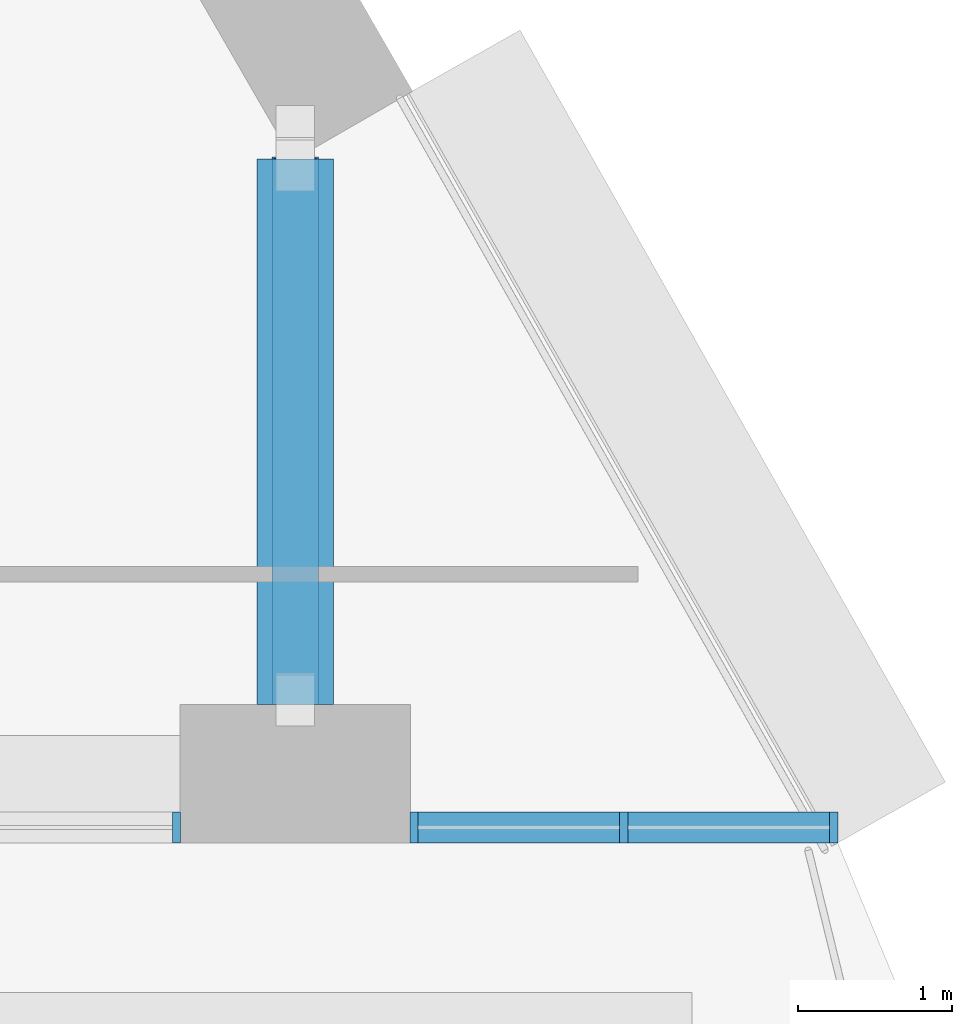
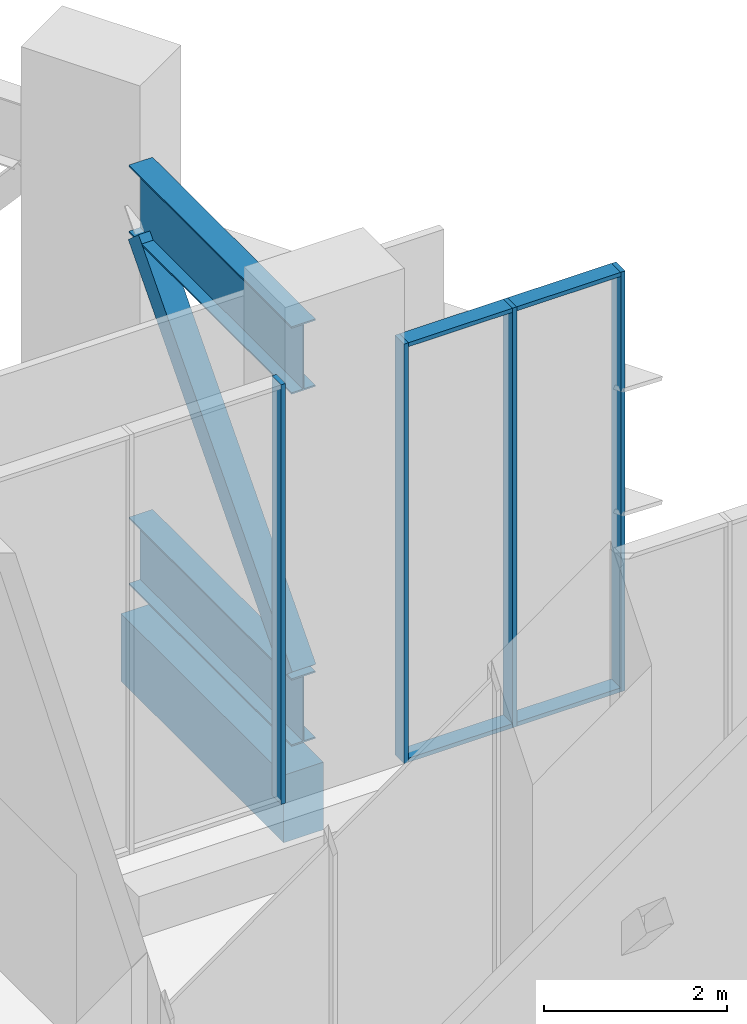
# One storey, part 5 of 20: 11 members, 1 beam, 2 elements without a shape of their own.
"""IFC4 building model written with IfcOpenShell, lengths in metres."""

from ifc_helpers import new_model, si_unit, direction, frame, origin, origin_2d, place, context, subcontext, project, spatial, rectangle, hollow_rectangle, i_section, extrude, material, layer, layer_set, material_profile, profile_set, type_object, element, aggregate, save


model = new_model("IFC4")

# Units and contexts
model_context = context("Model", 3, precision=1e-05, world=origin(), true_north=direction((0.0, 1.0)))
body_context = subcontext(model_context, "Body", "Model", "MODEL_VIEW")
ifc_project = project(units=[si_unit("LENGTHUNIT", "METRE"), si_unit("AREAUNIT", "SQUARE_METRE"), si_unit("VOLUMEUNIT", "CUBIC_METRE"), si_unit("PLANEANGLEUNIT", "RADIAN"), si_unit("MASSUNIT", "GRAM", prefix="KILO")], contexts=[model_context])

# Site, building, storey
site_placement = place(None, origin())
site = spatial("IfcSite", under=ifc_project, at=site_placement, CompositionType="ELEMENT")
building_placement = place(site_placement, origin())
building = spatial("IfcBuilding", under=site, at=building_placement, Name="Nakaniwa Court", CompositionType="ELEMENT")
storey_placement = place(building_placement, frame((0.0, 0.0, 71.10009765625)))
storey = spatial("IfcBuildingStorey", under=building, at=storey_placement, Name="S1", CompositionType="ELEMENT", Elevation=71.10009765625)

# Curtain wall, member
ifc_material_1 = material(Name="Black anodised aluminium frame with dark low-E laminated double glazing", Category="aluminium")
ifc_layer = layer(ifc_material_1, 0.199951171875)
ifc_layer_set = layer_set([ifc_layer], Name="Black anodised aluminium frame with dark low-E laminated double glazing")
curtain_wall_type = type_object("IfcCurtainWallType", Name="Amenity and sky level curtain wall", PredefinedType="NOTDEFINED", material=ifc_layer_set)
curtain_wall_1_placement = place(storey_placement, origin())
curtain_wall_1 = element("IfcCurtainWall", 1, at=curtain_wall_1_placement, inside=storey, type_object=curtain_wall_type, Name="S1 curtain wall CW3 00", PredefinedType="NOTDEFINED")
ifc_material_2 = material(Name="Black anodised aluminium extrusion", Category="aluminium")
ifc_material_profile_1 = material_profile(ifc_material_2, rectangle(XDim=0.199951171875, YDim=0.054931640625, at=origin_2d()), Name="Amenity and sky level curtain wall mullion 55x200")
ifc_profile_set_1 = profile_set([ifc_material_profile_1], Name="Black anodised aluminium extrusion")
member_type_1 = type_object("IfcMemberType", Name="Amenity and sky level curtain wall mullion 55x200", PredefinedType="MULLION", material=ifc_profile_set_1)
member_1_placement = place(storey_placement, frame((102.04931640625, 82.35009765625, 0.0), z_axis=(0.0, 0.0, 1.0), x_axis=(0.0, 1.0, 0.0)))
member_1 = element("IfcMember", 2, at=member_1_placement, type_object=member_type_1, Name="CW3 mullion 3", PredefinedType="MULLION", context=body_context, shape_type="SweptSolid", body=[
    extrude(rectangle(XDim=0.199951171875, YDim=0.054931640625, at=origin_2d()), origin(), (0.0, 0.0, 1.0), 5.58984375),
])
aggregate(curtain_wall_1, [member_1])

# Curtain wall, members
curtain_wall_2_placement = place(storey_placement, origin())
curtain_wall_2 = element("IfcCurtainWall", 3, at=curtain_wall_2_placement, inside=storey, type_object=curtain_wall_type, Name="S1 curtain wall CW3 01", PredefinedType="NOTDEFINED")
member_2_placement = place(storey_placement, frame((103.596435546875, 82.35009765625, 0.0), z_axis=(0.0, 0.0, 1.0), x_axis=(0.0, 1.0, 0.0)))
member_2 = element("IfcMember", 4, at=member_2_placement, type_object=member_type_1, Name="CW3 mullion 1", PredefinedType="MULLION", context=body_context, shape_type="SweptSolid", body=[
    extrude(rectangle(XDim=0.199951171875, YDim=0.054931640625, at=origin_2d()), origin(), (0.0, 0.0, 1.0), 5.58984375),
])
member_3_placement = place(storey_placement, frame((104.962890625, 82.35009765625, 0.0), z_axis=(0.0, 0.0, 1.0), x_axis=(0.0, 1.0, 0.0)))
member_3 = element("IfcMember", 5, at=member_3_placement, type_object=member_type_1, Name="CW3 mullion 2", PredefinedType="MULLION", context=body_context, shape_type="SweptSolid", body=[
    extrude(rectangle(XDim=0.199951171875, YDim=0.054931640625, at=origin_2d()), origin(), (0.0, 0.0, 1.0), 5.58984375),
])
member_4_placement = place(storey_placement, frame((106.3291015625, 82.35009765625, 0.0), z_axis=(0.0, 0.0, 1.0), x_axis=(0.0, 1.0, 0.0)))
member_4 = element("IfcMember", 6, at=member_4_placement, type_object=member_type_1, Name="CW3 mullion 3", PredefinedType="MULLION", context=body_context, shape_type="SweptSolid", body=[
    extrude(rectangle(XDim=0.199951171875, YDim=0.054931640625, at=origin_2d()), origin(), (0.0, 0.0, 1.0), 5.58984375),
])
ifc_material_profile_2 = material_profile(ifc_material_2, rectangle(XDim=0.199951171875, YDim=0.054931640625, at=origin_2d()), Name="Amenity and sky level curtain wall transom 55x200")
ifc_profile_set_2 = profile_set([ifc_material_profile_2], Name="Black anodised aluminium extrusion")
member_type_2 = type_object("IfcMemberType", Name="Amenity and sky level curtain wall transom 55x200", PredefinedType="USERDEFINED", material=ifc_profile_set_2)
member_5_placement = place(storey_placement, frame((103.623779296875, 82.35009765625, 0.02734375), z_axis=(1.0, 0.0, 0.0), x_axis=(0.0, 1.0, 0.0)))
member_5 = element("IfcMember", 7, at=member_5_placement, type_object=member_type_2, Name="CW3 transom 1.1", ObjectType="TRANSOM", PredefinedType="USERDEFINED", context=body_context, shape_type="SweptSolid", body=[
    extrude(rectangle(XDim=0.199951171875, YDim=0.054931640625, at=origin_2d()), origin(), (0.0, 0.0, 1.0), 1.3115234375),
])
member_6_placement = place(storey_placement, frame((103.623779296875, 82.35009765625, 5.5625), z_axis=(1.0, 0.0, 0.0), x_axis=(0.0, 1.0, 0.0)))
member_6 = element("IfcMember", 8, at=member_6_placement, type_object=member_type_2, Name="CW3 transom 1.2", ObjectType="TRANSOM", PredefinedType="USERDEFINED", context=body_context, shape_type="SweptSolid", body=[
    extrude(rectangle(XDim=0.199951171875, YDim=0.054931640625, at=origin_2d()), origin(), (0.0, 0.0, 1.0), 1.3115234375),
])
member_7_placement = place(storey_placement, frame((104.990234375, 82.35009765625, 0.02734375), z_axis=(1.0, 0.0, 0.0), x_axis=(0.0, 1.0, 0.0)))
member_7 = element("IfcMember", 9, at=member_7_placement, type_object=member_type_2, Name="CW3 transom 2.1", ObjectType="TRANSOM", PredefinedType="USERDEFINED", context=body_context, shape_type="SweptSolid", body=[
    extrude(rectangle(XDim=0.199951171875, YDim=0.054931640625, at=origin_2d()), origin(), (0.0, 0.0, 1.0), 1.3115234375),
])
member_8_placement = place(storey_placement, frame((104.990234375, 82.35009765625, 5.5625), z_axis=(1.0, 0.0, 0.0), x_axis=(0.0, 1.0, 0.0)))
member_8 = element("IfcMember", 10, at=member_8_placement, type_object=member_type_2, Name="CW3 transom 2.2", ObjectType="TRANSOM", PredefinedType="USERDEFINED", context=body_context, shape_type="SweptSolid", body=[
    extrude(rectangle(XDim=0.199951171875, YDim=0.054931640625, at=origin_2d()), origin(), (0.0, 0.0, 1.0), 1.3115234375),
])
aggregate(curtain_wall_2, [member_2, member_3, member_4, member_5, member_6, member_7, member_8])

# Members
ifc_material_3 = material(Name="Steel Grade 350", Category="steel")
ifc_material_profile_3 = material_profile(ifc_material_3, i_section(OverallWidth=0.300048828125, OverallDepth=0.89990234375, WebThickness=0.011962890625, FlangeThickness=0.02001953125, at=origin_2d()), Name="900WB175")
ifc_profile_set_3 = profile_set([ifc_material_profile_3], Name="Steel Grade 350")
member_type_3 = type_object("IfcMemberType", Name="BELT chord 900 WB175", PredefinedType="CHORD", material=ifc_profile_set_3)
for number, where, z_axis, x_axis, name in (
    (11, (102.822998046875, 83.14990234375, 0.449951171875), (0.0, 1.0, 0.0), (-1.0, 0.0, 0.0), "BELT CHORD BT-17-B"),
    (12, (102.822998046875, 83.14990234375, 5.139892578125), (0.0, 1.0, 0.0), (-1.0, 0.0, 0.0), "BELT CHORD BT-17-T"),
):
    element("IfcMember", number, at=place(storey_placement, frame(where, z_axis=z_axis, x_axis=x_axis)), inside=storey, type_object=member_type_3, Name=name, PredefinedType="CHORD", context=body_context, shape_type="SweptSolid", body=[
        extrude(i_section(OverallWidth=0.300048828125, OverallDepth=0.89990234375, WebThickness=0.011962890625, FlangeThickness=0.02001953125, at=origin_2d()), origin(), (0.0, 0.0, 1.0), 3.5537109375),
    ])
ifc_material_profile_4 = material_profile(ifc_material_3, hollow_rectangle(XDim=0.300048828125, YDim=0.300048828125, WallThickness=0.012451171875, at=origin_2d()), Name="BELT diagonal 300x300x12.5 SHS")
ifc_profile_set_4 = profile_set([ifc_material_profile_4], Name="Steel Grade 350")
member_type_4 = type_object("IfcMemberType", Name="BELT diagonal 300x300x12.5 SHS", PredefinedType="BRACE", material=ifc_profile_set_4)
member_9_placement = place(storey_placement, frame((102.822998046875, 83.25, 0.89990234375), z_axis=(0.0, 0.662688372076, 0.748895267388), x_axis=(-1.0, 0.0, 0.0)))
element("IfcMember", 13, at=member_9_placement, inside=storey, type_object=member_type_4, Name="BELT DIAGONAL BT-17-D", PredefinedType="BRACE", context=body_context, shape_type="SweptSolid", body=[
    extrude(hollow_rectangle(XDim=0.300048828125, YDim=0.300048828125, WallThickness=0.012451171875, at=origin_2d()), origin(), (0.0, 0.0, 1.0), 5.060791015625),
])

# Beam
ifc_material_4 = material(Name="Concrete C80/100", Category="concrete")
ifc_material_profile_5 = material_profile(ifc_material_4, rectangle(XDim=0.5, YDim=0.89990234375, at=origin_2d()), Name="Concrete C80/100 RC 500x900 spandrel beam")
ifc_profile_set_5 = profile_set([ifc_material_profile_5], Name="Concrete C80/100")
beam_type = type_object("IfcBeamType", Name="Concrete C80/100 RC 500x900 spandrel beam", PredefinedType="BEAM", material=ifc_profile_set_5)
beam_placement = place(storey_placement, frame((102.822998046875, 83.14990234375, -0.800048828125), z_axis=(0.0, 1.0, 0.0), x_axis=(-1.0, 0.0, 0.0)))
element("IfcBeam", 14, at=beam_placement, inside=storey, type_object=beam_type, Name="SPANDREL BEAM", PredefinedType="BEAM", context=body_context, shape_type="SweptSolid", body=[
    extrude(rectangle(XDim=0.5, YDim=0.89990234375, at=origin_2d()), origin(), (0.0, 0.0, 1.0), 3.5537109375),
])

save(model, "model.ifc")
